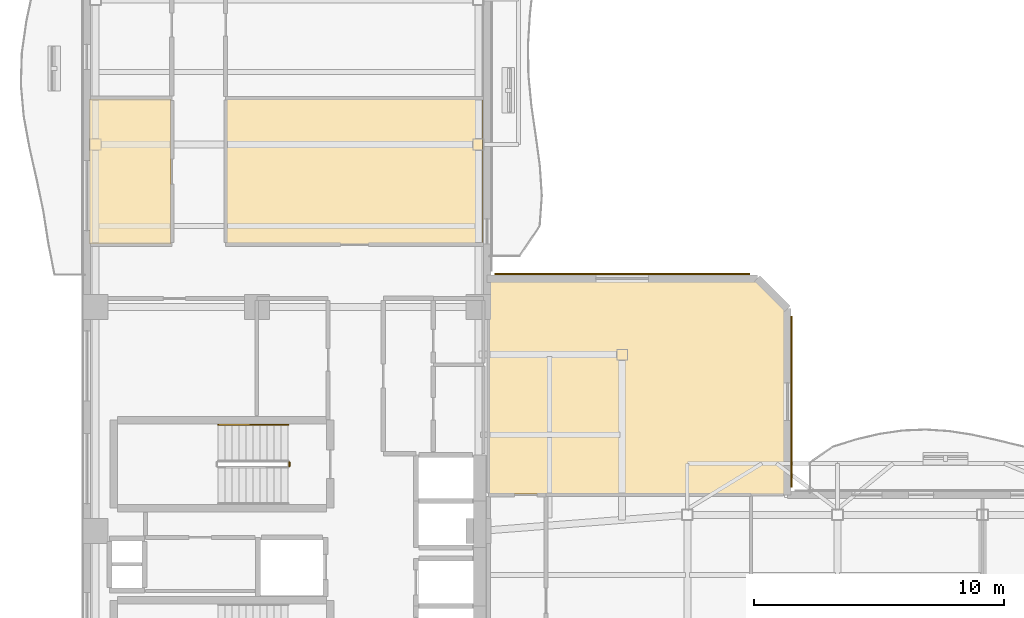
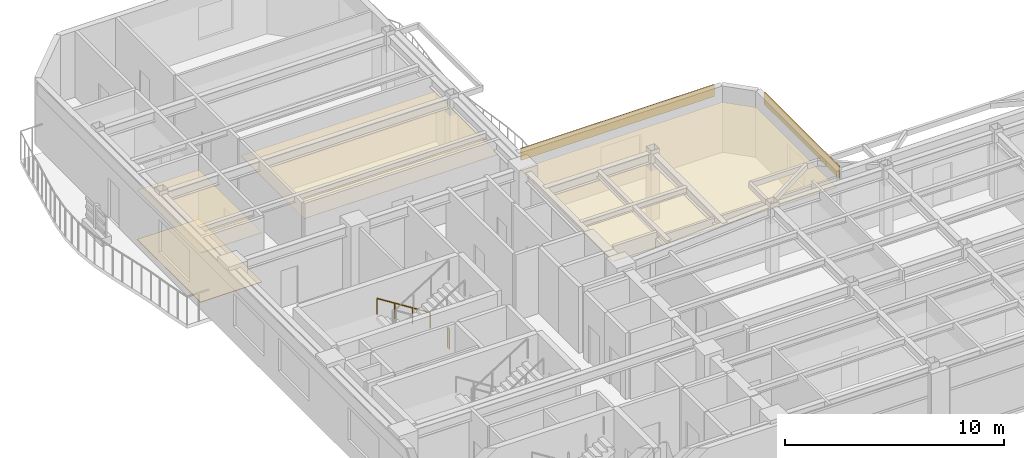
# One storey, part 15 of 17: 6 coverings, 2 railings.
"""IFC4 building model written with IfcOpenShell, lengths in metres."""

from ifc_helpers import new_model, si_unit, direction, frame, origin, origin_2d, place, context, subcontext, project, spatial, polyline, rectangle, outline, extrude, material, layer, layer_set, type_object, element, save


model = new_model("IFC4")

# Units and contexts
model_context = context("Model", 3, precision=1e-05, world=origin(), true_north=direction((0.0, 1.0)))
body_context = subcontext(model_context, "Body", "Model", "MODEL_VIEW")
ifc_project = project(units=[si_unit("LENGTHUNIT", "METRE"), si_unit("AREAUNIT", "SQUARE_METRE"), si_unit("VOLUMEUNIT", "CUBIC_METRE"), si_unit("PLANEANGLEUNIT", "RADIAN"), si_unit("MASSUNIT", "GRAM", prefix="KILO")], contexts=[model_context])

# Site, building, storey
site_placement = place(None, origin())
site = spatial("IfcSite", under=ifc_project, at=site_placement, CompositionType="ELEMENT")
building_placement = place(site_placement, origin())
building = spatial("IfcBuilding", under=site, at=building_placement, Name="Mawjaban Terraces University", CompositionType="ELEMENT")
storey_placement = place(building_placement, frame((0.0, 0.0, 183.60009765625)))
storey = spatial("IfcBuildingStorey", under=building, at=storey_placement, Name="L44", CompositionType="ELEMENT", Elevation=183.60009765625)

# Coverings
ifc_material_1 = material(Name="Acoustic mineral fibre ceiling tile", Category="masonry")
ifc_layer_1 = layer(ifc_material_1, 0.02001953125)
ifc_layer_set_1 = layer_set([ifc_layer_1], Name="Acoustic mineral fibre ceiling tile")
covering_type_1 = type_object("IfcCoveringType", Name="AcousticMineralCeiling_20", PredefinedType="CEILING", material=ifc_layer_set_1)
covering_1_placement = place(storey_placement, frame((0.0, 0.0, 2.75)))
element("IfcCovering", 1, at=covering_1_placement, inside=storey, type_object=covering_type_1, Name="L44 Classroom 8 Acoustic Ceiling", PredefinedType="CEILING", context=body_context, shape_type="SweptSolid", body=[
    extrude(outline(polyline([(22.114990234375, 31.818115234375), (22.114990234375, 26.030029296875), (25.3701171875, 26.030029296875), (25.3701171875, 31.818115234375), (22.114990234375, 31.818115234375)])), origin(), (0.0, 0.0, 1.0), 0.02001953125),
])
covering_2_placement = place(storey_placement, frame((0.0, 0.0, 2.75)))
element("IfcCovering", 2, at=covering_2_placement, inside=storey, type_object=covering_type_1, Name="L44 Computational Laboratory 9 Acoustic Ceiling", PredefinedType="CEILING", context=body_context, shape_type="SweptSolid", body=[
    extrude(outline(polyline([(37.820068359375, 26.030029296875), (37.820068359375, 31.818115234375), (27.580078125, 31.818115234375), (27.580078125, 26.030029296875), (37.820068359375, 26.030029296875)])), origin(), (0.0, 0.0, 1.0), 0.02001953125),
])
covering_3_placement = place(storey_placement, frame((0.0, 0.0, 2.75)))
element("IfcCovering", 3, at=covering_3_placement, inside=storey, type_object=covering_type_1, Name="L44 Terrace Collaborative Study Room Acoustic Ceiling", PredefinedType="CEILING", context=body_context, shape_type="SweptSolid", body=[
    extrude(outline(polyline([(49.885009765625, 16.030029296875), (49.885009765625, 23.39306640625), (48.7529296875, 24.52490234375), (38.080078125, 24.52490234375), (38.080078125, 16.030029296875), (49.885009765625, 16.030029296875)])), origin(), (0.0, 0.0, 1.0), 0.02001953125),
])

# Railings
ifc_material_2 = material(Name="Brushed stainless steel 316", Category="steel")
railing_type_1 = type_object("IfcRailingType", Name="StairWallHandrail_900", PredefinedType="HANDRAIL", material=ifc_material_2)
railing_1_placement = place(storey_placement, frame((30.050048828125, 18.800048828125, 0.17724609375)))
element("IfcRailing", 4, at=railing_1_placement, inside=storey, type_object=railing_type_1, Name="L44 ST-2 stair handrail 1", PredefinedType="HANDRAIL", context=body_context, shape_type="SweptSolid", body=[
    extrude(rectangle(XDim=0.048095703125, YDim=0.048095703125, at=origin_2d()), frame((0.0, 0.0, 0.8759765625), z_axis=(-0.844908973607, 0.0, 0.534910110503), x_axis=(0.0, -1.0, 0.0)), (0.0, 0.0, 1.0), 3.31396484375),
    extrude(rectangle(XDim=0.0419921875, YDim=0.0419921875, at=origin_2d()), origin(), (0.0, 0.0, 1.0), 0.851806640625),
    extrude(rectangle(XDim=0.0419921875, YDim=0.0419921875, at=origin_2d()), frame((-0.933349609375, 0.0, 0.5908203125)), (0.0, 0.0, 1.0), 0.851806640625),
    extrude(rectangle(XDim=0.0419921875, YDim=0.0419921875, at=origin_2d()), frame((-1.86669921875, 0.0, 1.181884765625)), (0.0, 0.0, 1.0), 0.851806640625),
    extrude(rectangle(XDim=0.0419921875, YDim=0.0419921875, at=origin_2d()), frame((-2.800048828125, 0.0, 1.772705078125)), (0.0, 0.0, 1.0), 0.851806640625),
])
ifc_material_3 = material(Name="Galvanised painted steel S355", Category="steel")
railing_type_2 = type_object("IfcRailingType", Name="StairWellGuard_1150", PredefinedType="BALUSTRADE", material=ifc_material_3)
railing_2_placement = place(storey_placement, frame((30.10009765625, 17.300048828125, 0.0)))
element("IfcRailing", 5, at=railing_2_placement, inside=storey, type_object=railing_type_2, Name="L44 ST-2 stair guard 4", PredefinedType="BALUSTRADE", context=body_context, shape_type="SweptSolid", body=[
    extrude(rectangle(XDim=0.048095703125, YDim=0.048095703125, at=origin_2d()), frame((0.0, 0.0, 1.1259765625), z_axis=(0.0, -1.0, 0.0), x_axis=(1.0, 0.0, 0.0)), (0.0, 0.0, 1.0), 0.150146484375),
    extrude(rectangle(XDim=0.0419921875, YDim=0.0419921875, at=origin_2d()), origin(), (0.0, 0.0, 1.0), 1.101806640625),
    extrude(rectangle(XDim=0.0419921875, YDim=0.0419921875, at=origin_2d()), frame((0.0, -0.150146484375, 0.0)), (0.0, 0.0, 1.0), 1.101806640625),
])

# Coverings
ifc_material_4 = material(Name="Glazed architectural terracotta rainscreen", Category="masonry")
ifc_layer_2 = layer(ifc_material_4, 0.06005859375)
ifc_layer_set_2 = layer_set([ifc_layer_2], Name="Glazed architectural terracotta rainscreen")
covering_type_2 = type_object("IfcCoveringType", Name="TerracottaSpandrelCladding_60", PredefinedType="CLADDING", material=ifc_layer_set_2)
covering_4_placement = place(storey_placement, frame((50.175048828125, 19.719970703125, 3.014892578125), z_axis=(0.0, 0.0, 1.0), x_axis=(0.0, 1.0, 0.0)))
element("IfcCovering", 6, at=covering_4_placement, inside=storey, type_object=covering_type_2, Name="L44 Terracotta Spandrel Cladding 6", PredefinedType="CLADDING", context=body_context, shape_type="SweptSolid", body=[
    extrude(rectangle(XDim=6.840087890625, YDim=0.06005859375, at=origin_2d()), origin(), (0.0, 0.0, 1.0), 0.64990234375),
])
covering_5_placement = place(storey_placement, frame((43.39990234375, 24.81494140625, 3.014892578125), z_axis=(0.0, 0.0, 1.0), x_axis=(-1.0, 0.0, 0.0)))
element("IfcCovering", 7, at=covering_5_placement, inside=storey, type_object=covering_type_2, Name="L44 Terracotta Spandrel Cladding 8", PredefinedType="CLADDING", context=body_context, shape_type="SweptSolid", body=[
    extrude(rectangle(XDim=10.199951171875, YDim=0.06005859375, at=origin_2d()), origin(), (0.0, 0.0, 1.0), 0.64990234375),
])
ifc_material_5 = material(Name="Polished Hijazi granite terrazzo flooring", Category="masonry")
ifc_layer_3 = layer(ifc_material_5, 0.02490234375)
ifc_layer_set_3 = layer_set([ifc_layer_3], Name="Polished Hijazi granite terrazzo flooring")
covering_type_3 = type_object("IfcCoveringType", Name="TerrazzoConcourseFlooring_25", PredefinedType="FLOORING", material=ifc_layer_set_3)
covering_6_placement = place(storey_placement, origin())
element("IfcCovering", 8, at=covering_6_placement, inside=storey, type_object=covering_type_3, Name="L44 Classroom 8 Terrazzo Flooring", PredefinedType="FLOORING", context=body_context, shape_type="SweptSolid", body=[
    extrude(outline(polyline([(22.114990234375, 31.818115234375), (22.114990234375, 26.030029296875), (25.3701171875, 26.030029296875), (25.3701171875, 31.818115234375), (22.114990234375, 31.818115234375)])), origin(), (0.0, 0.0, 1.0), 0.02490234375),
])

save(model, "model.ifc")
